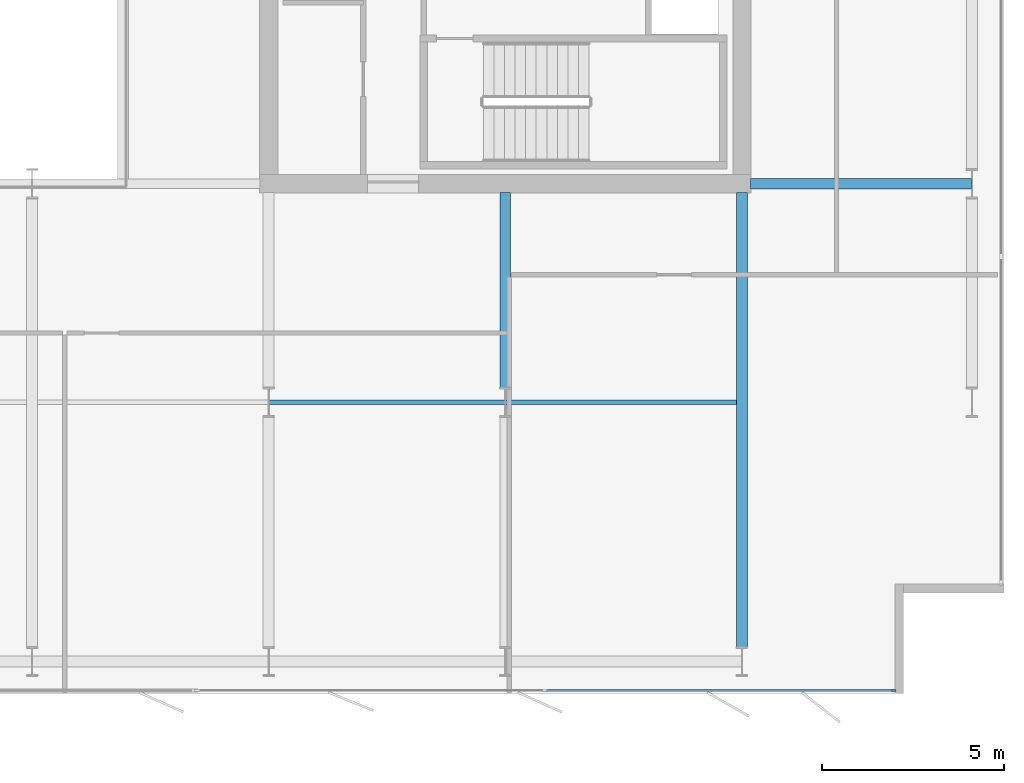
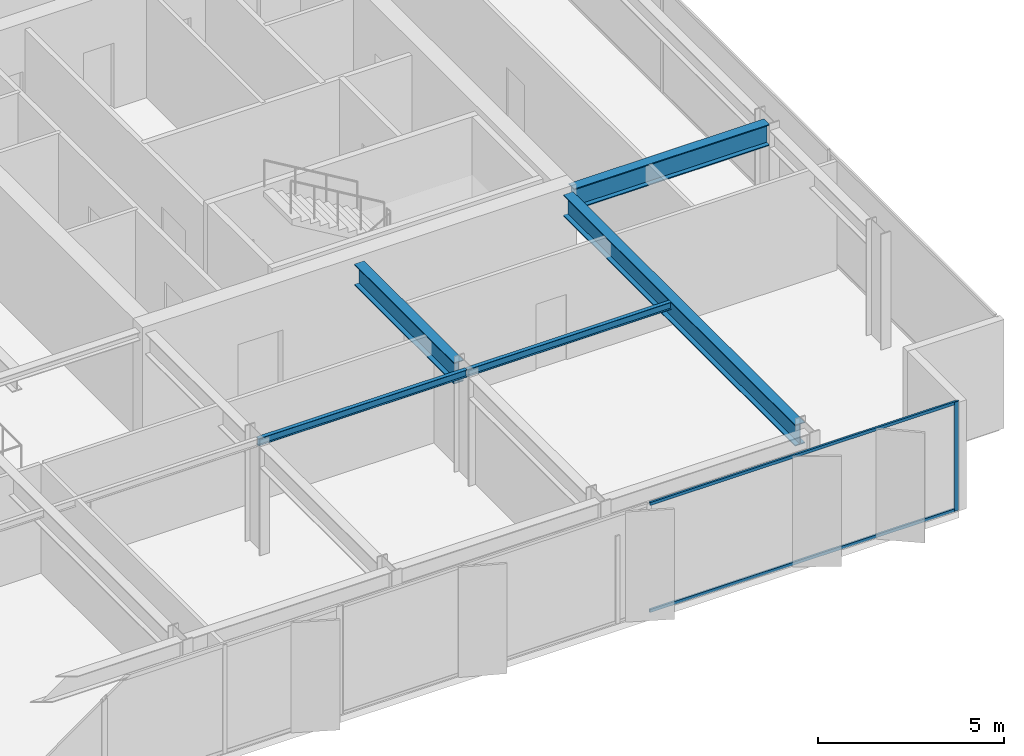
# One storey, part 8 of 23: 5 beams, 3 members, 1 element without a shape of its own.
"""IFC4 building model written with IfcOpenShell, lengths in metres."""

from ifc_helpers import new_model, si_unit, direction, frame, origin, origin_2d, place, context, subcontext, project, spatial, rectangle, i_section, extrude, material, layer, layer_set, material_profile, profile_set, type_object, element, aggregate, save


model = new_model("IFC4")

# Units and contexts
model_context = context("Model", 3, precision=1e-05, world=origin(), true_north=direction((0.0, 1.0)))
body_context = subcontext(model_context, "Body", "Model", "MODEL_VIEW")
ifc_project = project(units=[si_unit("LENGTHUNIT", "METRE"), si_unit("AREAUNIT", "SQUARE_METRE"), si_unit("VOLUMEUNIT", "CUBIC_METRE"), si_unit("PLANEANGLEUNIT", "RADIAN"), si_unit("MASSUNIT", "GRAM", prefix="KILO")], contexts=[model_context])

# Site, building, storey
site_placement = place(None, origin())
site = spatial("IfcSite", under=ifc_project, at=site_placement, CompositionType="ELEMENT")
building_placement = place(site_placement, origin())
building = spatial("IfcBuilding", under=site, at=building_placement, Name="Putna Gate Headquarters", CompositionType="ELEMENT")
storey_placement = place(building_placement, frame((0.0, 0.0, 232.800048828125)))
storey = spatial("IfcBuildingStorey", under=building, at=storey_placement, Name="L58", CompositionType="ELEMENT", Elevation=232.800048828125)

# Beams
ifc_material_1 = material(Name="Steel S355J2", Category="steel")
ifc_material_profile_1 = material_profile(ifc_material_1, i_section(OverallWidth=0.300048828125, OverallDepth=0.699951171875, WebThickness=0.01708984375, FlangeThickness=0.031982421875, at=origin_2d()), Name="Steel S355J2")
ifc_profile_set_1 = profile_set([ifc_material_profile_1], Name="Steel S355J2")
beam_type_1 = type_object("IfcBeamType", Name="BM-GIRD-B-HEB700", PredefinedType="USERDEFINED", material=ifc_profile_set_1)
beam_1_placement = place(storey_placement, frame((65.235107421875, 19.0, 3.22998046875), z_axis=(1.0, 0.0, 0.0), x_axis=(0.0, 1.0, 0.0)))
element("IfcBeam", 1, at=beam_1_placement, inside=storey, type_object=beam_type_1, Name="L58 East Wing Girder Y19", ObjectType="GIRDER", PredefinedType="USERDEFINED", context=body_context, shape_type="SweptSolid", body=[
    extrude(i_section(OverallWidth=0.300048828125, OverallDepth=0.699951171875, WebThickness=0.01708984375, FlangeThickness=0.031982421875, at=origin_2d()), origin(), (0.0, 0.0, 1.0), 6.078857421875),
])
beam_2_placement = place(storey_placement, frame((58.5, 13.39501953125, 3.22998046875), z_axis=(0.0, 1.0, 0.0), x_axis=(-1.0, 0.0, 0.0)))
element("IfcBeam", 2, at=beam_2_placement, inside=storey, type_object=beam_type_1, Name="L58 South Primary Girder X58-2", ObjectType="GIRDER", PredefinedType="USERDEFINED", context=body_context, shape_type="SweptSolid", body=[
    extrude(i_section(OverallWidth=0.300048828125, OverallDepth=0.699951171875, WebThickness=0.01708984375, FlangeThickness=0.031982421875, at=origin_2d()), origin(), (0.0, 0.0, 1.0), 5.369873046875),
])
beam_3_placement = place(storey_placement, frame((65.0, 6.27490234375, 3.22998046875), z_axis=(0.0, 1.0, 0.0), x_axis=(-1.0, 0.0, 0.0)))
element("IfcBeam", 3, at=beam_3_placement, inside=storey, type_object=beam_type_1, Name="L58 South Primary Girder X65", ObjectType="GIRDER", PredefinedType="USERDEFINED", context=body_context, shape_type="SweptSolid", body=[
    extrude(i_section(OverallWidth=0.300048828125, OverallDepth=0.699951171875, WebThickness=0.01708984375, FlangeThickness=0.031982421875, at=origin_2d()), origin(), (0.0, 0.0, 1.0), 12.489990234375),
])
ifc_material_profile_2 = material_profile(ifc_material_1, i_section(OverallWidth=0.1201171875, OverallDepth=0.239990234375, WebThickness=0.006103515625, FlangeThickness=0.009765625, at=origin_2d()), Name="Steel S355J2")
ifc_profile_set_2 = profile_set([ifc_material_profile_2], Name="Steel S355J2")
beam_type_2 = type_object("IfcBeamType", Name="BM-SEC-Z4-IPE240", PredefinedType="JOIST", material=ifc_profile_set_2)
beam_4_placement = place(storey_placement, frame((52.006103515625, 13.0, 3.4599609375), z_axis=(1.0, 0.0, 0.0), x_axis=(0.0, 1.0, 0.0)))
element("IfcBeam", 4, at=beam_4_placement, inside=storey, type_object=beam_type_2, Name="L58 South Secondary Beam 7", PredefinedType="JOIST", context=body_context, shape_type="SweptSolid", body=[
    extrude(i_section(OverallWidth=0.1201171875, OverallDepth=0.239990234375, WebThickness=0.006103515625, FlangeThickness=0.009765625, at=origin_2d()), origin(), (0.0, 0.0, 1.0), 6.48779296875),
])
beam_5_placement = place(storey_placement, frame((58.506103515625, 13.0, 3.4599609375), z_axis=(1.0, 0.0, 0.0), x_axis=(0.0, 1.0, 0.0)))
element("IfcBeam", 5, at=beam_5_placement, inside=storey, type_object=beam_type_2, Name="L58 South Secondary Beam 8", PredefinedType="JOIST", context=body_context, shape_type="SweptSolid", body=[
    extrude(i_section(OverallWidth=0.1201171875, OverallDepth=0.239990234375, WebThickness=0.006103515625, FlangeThickness=0.009765625, at=origin_2d()), origin(), (0.0, 0.0, 1.0), 6.33984375),
])

# Curtain wall, members
ifc_material_2 = material(Name="Anodised bronze aluminium curtain wall", Category="aluminium")
ifc_layer = layer(ifc_material_2, 0.139892578125)
ifc_layer_set = layer_set([ifc_layer], Name="Anodised bronze aluminium curtain wall")
curtain_wall_type = type_object("IfcCurtainWallType", Name="CW-SYS-Z4", PredefinedType="USERDEFINED", material=ifc_layer_set)
curtain_wall_placement = place(storey_placement, origin())
curtain_wall = element("IfcCurtainWall", 6, at=curtain_wall_placement, inside=storey, type_object=curtain_wall_type, Name="L58 South East Curtain Wall", ObjectType="STICK CURTAIN WALL", PredefinedType="USERDEFINED")
ifc_material_3 = material(Name="Anodised bronze aluminium EN AW-6060", Category="aluminium")
ifc_material_profile_3 = material_profile(ifc_material_3, rectangle(XDim=0.06005859375, YDim=0.139892578125, at=origin_2d()), Name="Anodised bronze aluminium EN AW-6060")
ifc_profile_set_3 = profile_set([ifc_material_profile_3], Name="Anodised bronze aluminium EN AW-6060")
member_type_1 = type_object("IfcMemberType", Name="MULL-CWM-4", PredefinedType="MULLION", material=ifc_profile_set_3)
member_1_placement = place(storey_placement, frame((69.169921875, 5.080078125, 0.0), z_axis=(0.0, 0.0, 1.0), x_axis=(0.0, 1.0, 0.0)))
member_1 = element("IfcMember", 7, at=member_1_placement, type_object=member_type_1, Name="CWS-4 mullion 3", PredefinedType="MULLION", context=body_context, shape_type="SweptSolid", body=[
    extrude(rectangle(XDim=0.06005859375, YDim=0.139892578125, at=origin_2d()), origin(), (0.0, 0.0, 1.0), 3.579833984375),
])
ifc_material_profile_4 = material_profile(ifc_material_3, rectangle(XDim=0.06005859375, YDim=0.10009765625, at=origin_2d()), Name="Anodised bronze aluminium EN AW-6060")
ifc_profile_set_4 = profile_set([ifc_material_profile_4], Name="Anodised bronze aluminium EN AW-6060")
member_type_2 = type_object("IfcMemberType", Name="TRAN-CWT-4", PredefinedType="USERDEFINED", material=ifc_profile_set_4)
member_2_placement = place(storey_placement, frame((59.6298828125, 5.080078125, 0.030029296875), z_axis=(1.0, 0.0, 0.0), x_axis=(0.0, 1.0, 0.0)))
member_2 = element("IfcMember", 8, at=member_2_placement, type_object=member_type_2, Name="CWS-4 transom 2.1", ObjectType="TRANSOM", PredefinedType="USERDEFINED", context=body_context, shape_type="SweptSolid", body=[
    extrude(rectangle(XDim=0.06005859375, YDim=0.10009765625, at=origin_2d()), origin(), (0.0, 0.0, 1.0), 9.510009765625),
])
member_3_placement = place(storey_placement, frame((59.6298828125, 5.080078125, 3.550048828125), z_axis=(1.0, 0.0, 0.0), x_axis=(0.0, 1.0, 0.0)))
member_3 = element("IfcMember", 9, at=member_3_placement, type_object=member_type_2, Name="CWS-4 transom 2.2", ObjectType="TRANSOM", PredefinedType="USERDEFINED", context=body_context, shape_type="SweptSolid", body=[
    extrude(rectangle(XDim=0.06005859375, YDim=0.10009765625, at=origin_2d()), origin(), (0.0, 0.0, 1.0), 9.510009765625),
])
aggregate(curtain_wall, [member_1, member_2, member_3])

save(model, "model.ifc")
